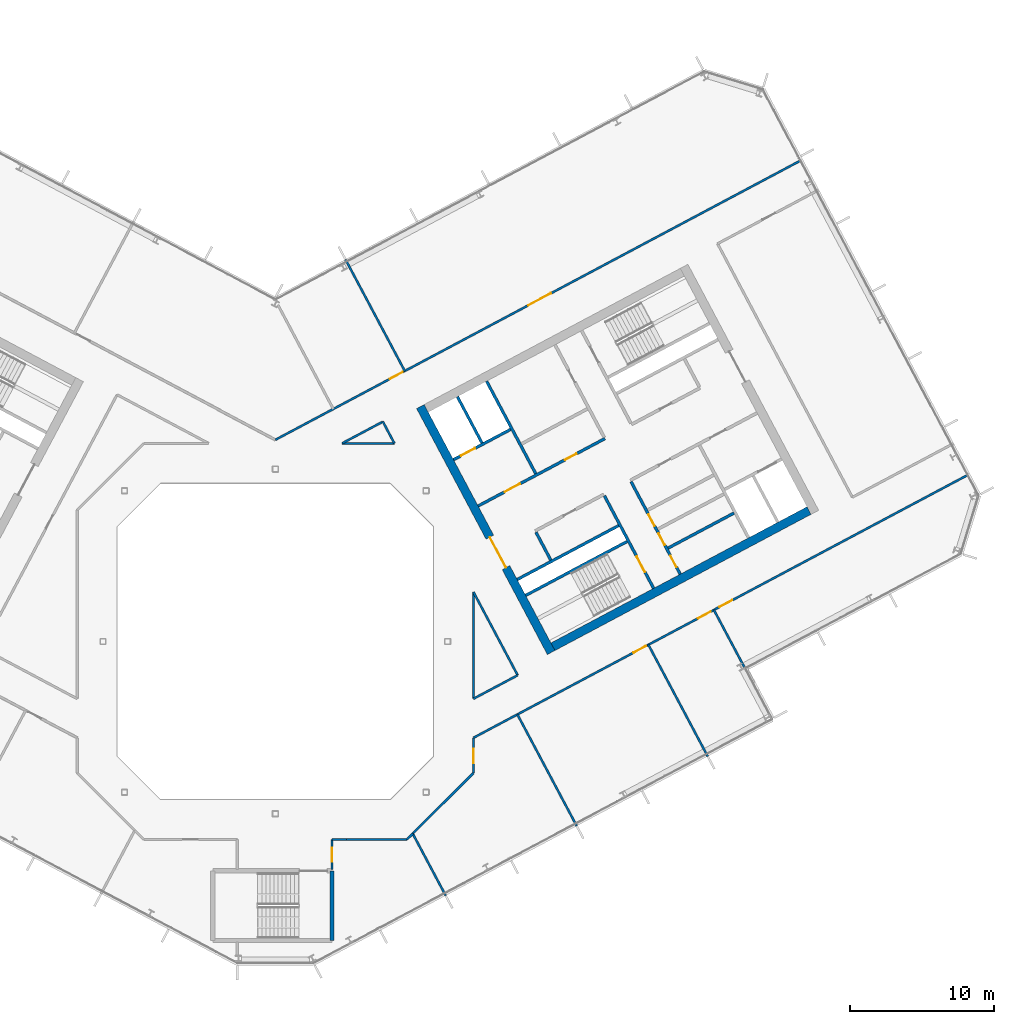
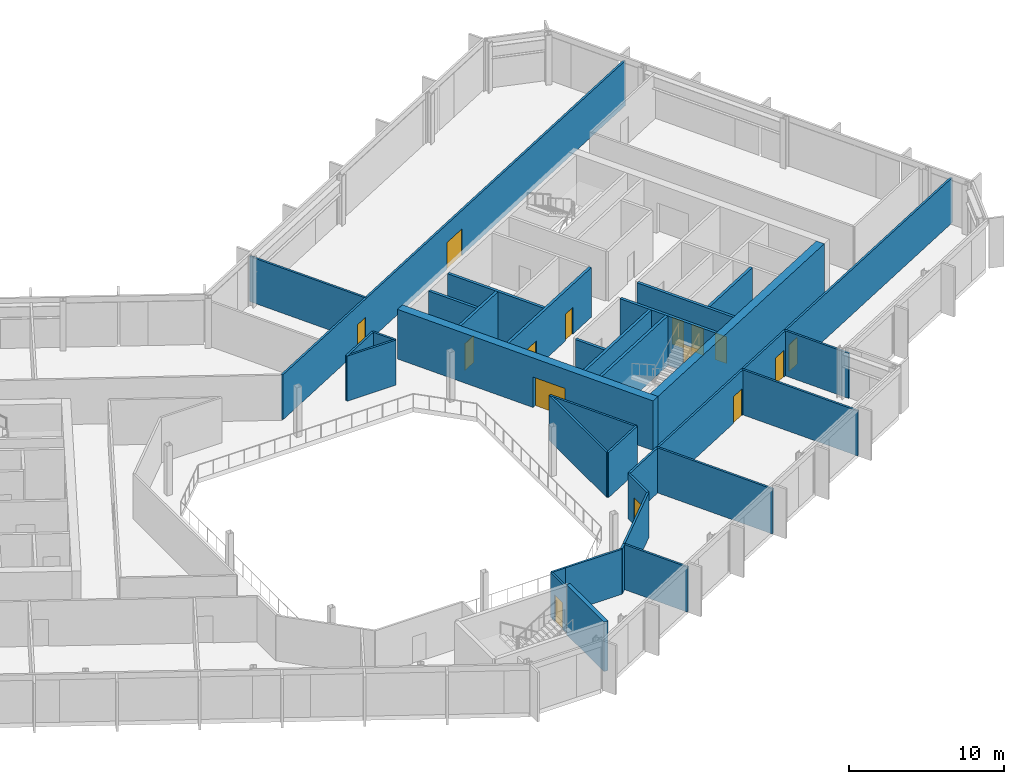
# One storey, part 16 of 27: 32 walls, 15 doors, 15 openings.
"""IFC4 building model written with IfcOpenShell, lengths in metres."""

from ifc_helpers import new_model, si_unit, direction, frame, frame_2d, origin, place, context, subcontext, project, spatial, rectangle, extrude, material, layer, layer_set, type_object, element, fill, save


model = new_model("IFC4")

# Units and contexts
model_context = context("Model", 3, precision=1e-05, world=origin(), true_north=direction((0.0, 1.0)))
body_context = subcontext(model_context, "Body", "Model", "MODEL_VIEW")
ifc_project = project(units=[si_unit("LENGTHUNIT", "METRE"), si_unit("AREAUNIT", "SQUARE_METRE"), si_unit("VOLUMEUNIT", "CUBIC_METRE"), si_unit("PLANEANGLEUNIT", "RADIAN"), si_unit("MASSUNIT", "GRAM", prefix="KILO")], contexts=[model_context])

# Site, building, storey
site_placement = place(None, origin())
site = spatial("IfcSite", under=ifc_project, at=site_placement, CompositionType="ELEMENT")
building_placement = place(site_placement, origin())
building = spatial("IfcBuilding", under=site, at=building_placement, Name="Cormorant Relay Tower", CompositionType="ELEMENT")
storey_placement = place(building_placement, frame((0.0, 0.0, 201.300048828125)))
storey = spatial("IfcBuildingStorey", under=building, at=storey_placement, Name="L43", CompositionType="ELEMENT", Elevation=201.300048828125)

# Walls
ifc_material_1 = material(Name="Concrete 40 MPa", Category="concrete")
ifc_layer_1 = layer(ifc_material_1, 0.199951171875)
ifc_layer_set_1 = layer_set([ifc_layer_1], Name="Core internal wall 200")
wall_type_1 = type_object("IfcWallType", Name="Core internal wall 200", PredefinedType="SOLIDWALL", material=ifc_layer_set_1)
wall_1_placement = place(storey_placement, frame((27.349365234375, 6.500732421875, 0.0), z_axis=(0.0, 0.0, 1.0), x_axis=(0.882953967957, 0.469459572775, 0.0)))
element("IfcWall", 1, at=wall_1_placement, inside=storey, type_object=wall_type_1, Name="L43 core B shaft and room wall", PredefinedType="SOLIDWALL", context=body_context, shape_type="SweptSolid", body=[
    extrude(rectangle(XDim=5.199951171875, YDim=0.199951171875, at=frame_2d((2.60009765625, 0.0))), origin(), (0.0, 0.0, 1.0), 3.89990234375),
])
ifc_material_2 = material(Name="Concrete 50 MPa", Category="concrete")
ifc_layer_2 = layer(ifc_material_2, 0.199951171875)
ifc_layer_set_2 = layer_set([ifc_layer_2], Name="Core shaft wall 200")
wall_type_2 = type_object("IfcWallType", Name="Core shaft wall 200", PredefinedType="SHEAR", material=ifc_layer_set_2)
wall_2_placement = place(storey_placement, frame((14.39404296875, 13.825927734375, 0.0), z_axis=(0.0, 0.0, 1.0), x_axis=(-0.469494272526, 0.882935517501, 0.0)))
element("IfcWall", 2, at=wall_2_placement, inside=storey, type_object=wall_type_2, Name="L43 core B shaft wall", PredefinedType="SHEAR", context=body_context, shape_type="SweptSolid", body=[
    extrude(rectangle(XDim=3.64990234375, YDim=0.199951171875, at=frame_2d((1.824951171875, 0.0))), origin(), (0.0, 0.0, 1.0), 3.89990234375),
])
wall_3_placement = place(storey_placement, frame((19.18359375, 5.669921875, 0.0), z_axis=(0.0, 0.0, 1.0), x_axis=(-0.4694473164, 0.882960484464, 0.0)))
element("IfcWall", 3, at=wall_3_placement, inside=storey, type_object=wall_type_2, Name="L43 core B shaft wall", PredefinedType="SHEAR", context=body_context, shape_type="SweptSolid", body=[
    extrude(rectangle(XDim=2.199951171875, YDim=0.199951171875, at=frame_2d((1.10009765625, 0.0))), origin(), (0.0, 0.0, 1.0), 3.89990234375),
])
wall_4_placement = place(storey_placement, frame((18.138427734375, 11.682861328125, 0.0), z_axis=(0.0, 0.0, 1.0), x_axis=(-0.469480409012, 0.88294288918, 0.0)))
element("IfcWall", 4, at=wall_4_placement, inside=storey, type_object=wall_type_2, Name="L43 core B shaft wall", PredefinedType="SHEAR", context=body_context, shape_type="SweptSolid", body=[
    extrude(rectangle(XDim=7.300048828125, YDim=0.199951171875, at=frame_2d((3.64990234375, 0.0))), origin(), (0.0, 0.0, 1.0), 3.89990234375),
])

# Wall, opening, door
wall_5_placement = place(storey_placement, frame((26.345947265625, 3.701904296875, 0.0), z_axis=(0.0, 0.0, 1.0), x_axis=(-0.469480409012, 0.88294288918, 0.0)))
wall_5 = element("IfcWall", 5, at=wall_5_placement, inside=storey, type_object=wall_type_2, Name="L43 core B shaft wall", PredefinedType="SHEAR", context=body_context, shape_type="SweptSolid", body=[
    extrude(rectangle(XDim=7.300048828125, YDim=0.199951171875, at=frame_2d((3.64990234375, 0.0))), origin(), (0.0, 0.0, 1.0), 3.89990234375),
])
opening_1_placement = place(wall_5_placement, frame((1.300048828125, 0.0, 0.0)))
opening_1 = element("IfcOpeningElement", 6, at=opening_1_placement, cuts=wall_5, Name="Opening CDB-040", PredefinedType="OPENING", context=body_context, shape_type="SweptSolid", body=[
    extrude(rectangle(XDim=1.199951171875, YDim=2.10009765625, at=frame_2d((0.60009765625, 1.050048828125))), frame((0.0, 0.10986328125, 0.0), z_axis=(0.0, -1.0, 0.0), x_axis=(1.0, 0.0, 0.0)), (0.0, 0.0, 1.0), 0.219970703125),
])
ifc_material_3 = material(Name="Steel fire door", Category="steel")
door_type_1 = type_object("IfcDoorType", Name="Core stair door 1200x2100", OperationType="SINGLE_SWING_LEFT", PredefinedType="DOOR", material=ifc_material_3)
door_1_placement = place(opening_1_placement, origin())
door_1 = element("IfcDoor", 7, at=door_1_placement, inside=storey, type_object=door_type_1, Name="Core stair door 1200x2100", OperationType="SINGLE_SWING_RIGHT", OverallHeight=2.10009765625, OverallWidth=1.199951171875, PredefinedType="DOOR", context=body_context, shape_type="SweptSolid", body=[
    extrude(rectangle(XDim=1.199951171875, YDim=2.10009765625, at=frame_2d((0.60009765625, 1.050048828125))), frame((0.0, 0.02490234375, 0.0), z_axis=(0.0, -1.0, 0.0), x_axis=(1.0, 0.0, 0.0)), (0.0, 0.0, 1.0), 0.050048828125),
])
fill(opening_1, door_1)

# Wall, openings, doors
wall_6_placement = place(storey_placement, frame((28.199951171875, 4.687744140625, 0.0), z_axis=(0.0, 0.0, 1.0), x_axis=(-0.469454336211, 0.882956752176, 0.0)))
wall_6 = element("IfcWall", 8, at=wall_6_placement, inside=storey, type_object=wall_type_2, Name="L43 core B shaft wall", PredefinedType="SHEAR", context=body_context, shape_type="SweptSolid", body=[
    extrude(rectangle(XDim=7.300048828125, YDim=0.199951171875, at=frame_2d((3.64990234375, 0.0))), origin(), (0.0, 0.0, 1.0), 3.89990234375),
])
opening_2_placement = place(wall_6_placement, frame((0.550048828125, 0.0, 0.0)))
opening_2 = element("IfcOpeningElement", 9, at=opening_2_placement, cuts=wall_6, Name="Opening CDD-265", PredefinedType="OPENING", context=body_context, shape_type="SweptSolid", body=[
    extrude(rectangle(XDim=0.89990234375, YDim=2.10009765625, at=frame_2d((0.449951171875, 1.050048828125))), frame((0.0, 0.10986328125, 0.0), z_axis=(0.0, -1.0, 0.0), x_axis=(1.0, 0.0, 0.0)), (0.0, 0.0, 1.0), 0.219970703125),
])
opening_3_placement = place(wall_6_placement, frame((2.300048828125, 0.0, 0.0)))
opening_3 = element("IfcOpeningElement", 10, at=opening_3_placement, cuts=wall_6, Name="Opening CDD-266", PredefinedType="OPENING", context=body_context, shape_type="SweptSolid", body=[
    extrude(rectangle(XDim=0.89990234375, YDim=2.10009765625, at=frame_2d((0.449951171875, 1.050048828125))), frame((0.0, 0.10986328125, 0.0), z_axis=(0.0, -1.0, 0.0), x_axis=(1.0, 0.0, 0.0)), (0.0, 0.0, 1.0), 0.219970703125),
])
opening_4_placement = place(wall_6_placement, frame((3.800048828125, 0.0, 0.0)))
opening_4 = element("IfcOpeningElement", 11, at=opening_4_placement, cuts=wall_6, Name="Opening CDD-267", PredefinedType="OPENING", context=body_context, shape_type="SweptSolid", body=[
    extrude(rectangle(XDim=0.89990234375, YDim=2.10009765625, at=frame_2d((0.449951171875, 1.050048828125))), frame((0.0, 0.10986328125, 0.0), z_axis=(0.0, -1.0, 0.0), x_axis=(1.0, 0.0, 0.0)), (0.0, 0.0, 1.0), 0.219970703125),
])
ifc_material_4 = material(Name="Steel fire door", Category="steel")
door_type_2 = type_object("IfcDoorType", Name="Core room door 900x2100", OperationType="SINGLE_SWING_LEFT", PredefinedType="DOOR", material=ifc_material_4)
door_2_placement = place(opening_2_placement, frame((0.89990234375, 0.0, 0.0), z_axis=(0.0, 0.0, 1.0), x_axis=(-1.0, 0.0, 0.0)))
door_2 = element("IfcDoor", 12, at=door_2_placement, inside=storey, type_object=door_type_2, Name="Core room door 900x2100", OperationType="SINGLE_SWING_LEFT", OverallHeight=2.10009765625, OverallWidth=0.89990234375, PredefinedType="DOOR", context=body_context, shape_type="SweptSolid", body=[
    extrude(rectangle(XDim=0.89990234375, YDim=2.10009765625, at=frame_2d((0.449951171875, 1.050048828125))), frame((0.0, 0.02490234375, 0.0), z_axis=(0.0, -1.0, 0.0), x_axis=(1.0, 0.0, 0.0)), (0.0, 0.0, 1.0), 0.050048828125),
])
fill(opening_2, door_2)
door_3_placement = place(opening_3_placement, frame((0.89990234375, 0.0, 0.0), z_axis=(0.0, 0.0, 1.0), x_axis=(-1.0, 0.0, 0.0)))
door_3 = element("IfcDoor", 13, at=door_3_placement, inside=storey, type_object=door_type_2, Name="Core room door 900x2100", OperationType="SINGLE_SWING_LEFT", OverallHeight=2.10009765625, OverallWidth=0.89990234375, PredefinedType="DOOR", context=body_context, shape_type="SweptSolid", body=[
    extrude(rectangle(XDim=0.89990234375, YDim=2.10009765625, at=frame_2d((0.449951171875, 1.050048828125))), frame((0.0, 0.02490234375, 0.0), z_axis=(0.0, -1.0, 0.0), x_axis=(1.0, 0.0, 0.0)), (0.0, 0.0, 1.0), 0.050048828125),
])
fill(opening_3, door_3)
door_4_placement = place(opening_4_placement, frame((0.89990234375, 0.0, 0.0), z_axis=(0.0, 0.0, 1.0), x_axis=(-1.0, 0.0, 0.0)))
door_4 = element("IfcDoor", 14, at=door_4_placement, inside=storey, type_object=door_type_2, Name="Core room door 900x2100", OperationType="SINGLE_SWING_LEFT", OverallHeight=2.10009765625, OverallWidth=0.89990234375, PredefinedType="DOOR", context=body_context, shape_type="SweptSolid", body=[
    extrude(rectangle(XDim=0.89990234375, YDim=2.10009765625, at=frame_2d((0.449951171875, 1.050048828125))), frame((0.0, 0.02490234375, 0.0), z_axis=(0.0, -1.0, 0.0), x_axis=(1.0, 0.0, 0.0)), (0.0, 0.0, 1.0), 0.050048828125),
])
fill(opening_4, door_4)

# Walls
for number, where, z_axis, x_axis, name in (
    (15, (17.43359375, 3.210205078125, 0.0), (0.0, 0.0, 1.0), (0.882940221191, 0.469485426614, 0.0), "L43 core B shaft wall"),
    (16, (16.8466796875, 4.31396484375, 0.0), (0.0, 0.0, 1.0), (0.882940221191, 0.469485426614, 0.0), "L43 core B shaft wall"),
):
    element("IfcWall", number, at=place(storey_placement, frame(where, z_axis=z_axis, x_axis=x_axis)), inside=storey, type_object=wall_type_2, Name=name, PredefinedType="SHEAR", context=body_context, shape_type="SweptSolid", body=[
        extrude(rectangle(XDim=8.0, YDim=0.199951171875, at=frame_2d((4.0, 0.0))), origin(), (0.0, 0.0, 1.0), 3.89990234375),
    ])

# Wall, openings, doors
wall_7_placement = place(storey_placement, frame((14.123779296875, 9.43505859375, 0.0), z_axis=(0.0, 0.0, 1.0), x_axis=(0.882940221191, 0.469485426614, 0.0)))
wall_7 = element("IfcWall", 17, at=wall_7_placement, inside=storey, type_object=wall_type_2, Name="L43 core B shaft wall", PredefinedType="SHEAR", context=body_context, shape_type="SweptSolid", body=[
    extrude(rectangle(XDim=10.0, YDim=0.199951171875, at=frame_2d((5.0, 0.0))), origin(), (0.0, 0.0, 1.0), 3.89990234375),
])
opening_5_placement = place(wall_7_placement, frame((2.10009765625, 0.0, 0.0)))
opening_5 = element("IfcOpeningElement", 18, at=opening_5_placement, cuts=wall_7, Name="Opening CDC-037", PredefinedType="OPENING", context=body_context, shape_type="SweptSolid", body=[
    extrude(rectangle(XDim=1.199951171875, YDim=2.10009765625, at=frame_2d((0.60009765625, 1.050048828125))), frame((0.0, 0.10986328125, 0.0), z_axis=(0.0, -1.0, 0.0), x_axis=(1.0, 0.0, 0.0)), (0.0, 0.0, 1.0), 0.219970703125),
])
opening_6_placement = place(wall_7_placement, frame((6.85009765625, 0.0, 0.0)))
opening_6 = element("IfcOpeningElement", 19, at=opening_6_placement, cuts=wall_7, Name="Opening CDD-260", PredefinedType="OPENING", context=body_context, shape_type="SweptSolid", body=[
    extrude(rectangle(XDim=0.89990234375, YDim=2.10009765625, at=frame_2d((0.449951171875, 1.050048828125))), frame((0.0, 0.10986328125, 0.0), z_axis=(0.0, -1.0, 0.0), x_axis=(1.0, 0.0, 0.0)), (0.0, 0.0, 1.0), 0.219970703125),
])
ifc_material_5 = material(Name="Steel fire door", Category="steel")
door_type_3 = type_object("IfcDoorType", Name="Core lobby door 1200x2100", OperationType="SINGLE_SWING_LEFT", PredefinedType="DOOR", material=ifc_material_5)
door_5_placement = place(opening_5_placement, origin())
door_5 = element("IfcDoor", 20, at=door_5_placement, inside=storey, type_object=door_type_3, Name="Core lobby door 1200x2100", OperationType="SINGLE_SWING_RIGHT", OverallHeight=2.10009765625, OverallWidth=1.199951171875, PredefinedType="DOOR", context=body_context, shape_type="SweptSolid", body=[
    extrude(rectangle(XDim=1.199951171875, YDim=2.10009765625, at=frame_2d((0.60009765625, 1.050048828125))), frame((0.0, 0.02490234375, 0.0), z_axis=(0.0, -1.0, 0.0), x_axis=(1.0, 0.0, 0.0)), (0.0, 0.0, 1.0), 0.050048828125),
])
fill(opening_5, door_5)
door_6_placement = place(opening_6_placement, origin())
door_6 = element("IfcDoor", 21, at=door_6_placement, inside=storey, type_object=door_type_2, Name="Core room door 900x2100", OperationType="SINGLE_SWING_LEFT", OverallHeight=2.10009765625, OverallWidth=0.89990234375, PredefinedType="DOOR", context=body_context, shape_type="SweptSolid", body=[
    extrude(rectangle(XDim=0.89990234375, YDim=2.10009765625, at=frame_2d((0.449951171875, 1.050048828125))), frame((0.0, 0.02490234375, 0.0), z_axis=(0.0, -1.0, 0.0), x_axis=(1.0, 0.0, 0.0)), (0.0, 0.0, 1.0), 0.050048828125),
])
fill(opening_6, door_6)

# Wall, opening, door
wall_8_placement = place(storey_placement, frame((12.41015625, 12.657958984375, 0.0), z_axis=(0.0, 0.0, 1.0), x_axis=(0.8829484765, 0.469469900894, 0.0)))
wall_8 = element("IfcWall", 22, at=wall_8_placement, inside=storey, type_object=wall_type_2, Name="L43 core B shaft wall", PredefinedType="SHEAR", context=body_context, shape_type="SweptSolid", body=[
    extrude(rectangle(XDim=4.499755859375, YDim=0.199951171875, at=frame_2d((2.25, 0.0))), origin(), (0.0, 0.0, 1.0), 3.89990234375),
])
opening_7_placement = place(wall_8_placement, frame((0.60009765625, 0.0, 0.0)))
opening_7 = element("IfcOpeningElement", 23, at=opening_7_placement, cuts=wall_8, Name="Opening LD1-064", PredefinedType="OPENING", context=body_context, shape_type="SweptSolid", body=[
    extrude(rectangle(XDim=1.10009765625, YDim=2.10009765625, at=frame_2d((0.550048828125, 1.050048828125))), frame((0.0, 0.10986328125, 0.0), z_axis=(0.0, -1.0, 0.0), x_axis=(1.0, 0.0, 0.0)), (0.0, 0.0, 1.0), 0.219970703125),
])
ifc_material_6 = material(Name="Stainless steel 316", Category="steel")
door_type_4 = type_object("IfcDoorType", Name="Lift landing door 1100x2100", OperationType="DOUBLE_DOOR_SLIDING", PredefinedType="DOOR", material=ifc_material_6)
door_7_placement = place(opening_7_placement, origin())
door_7 = element("IfcDoor", 24, at=door_7_placement, inside=storey, type_object=door_type_4, Name="FF2 landing door", OperationType="DOUBLE_DOOR_SLIDING", OverallHeight=2.10009765625, OverallWidth=1.10009765625, PredefinedType="DOOR", context=body_context, shape_type="SweptSolid", body=[
    extrude(rectangle(XDim=1.10009765625, YDim=2.10009765625, at=frame_2d((0.550048828125, 1.050048828125))), frame((0.0, 0.02490234375, 0.0), z_axis=(0.0, -1.0, 0.0), x_axis=(1.0, 0.0, 0.0)), (0.0, 0.0, 1.0), 0.050048828125),
])
fill(opening_7, door_7)

ifc_material_7 = material(Name="Concrete 50 MPa", Category="concrete")
ifc_layer_3 = layer(ifc_material_7, 0.60009765625)
ifc_layer_set_3 = layer_set([ifc_layer_3], Name="Core wall 600")
wall_type_3 = type_object("IfcWallType", Name="Core wall 600", PredefinedType="SHEAR", material=ifc_layer_set_3)
wall_9_placement = place(storey_placement, frame((19.210693359375, -0.771484375, 0.0), z_axis=(0.0, 0.0, 1.0), x_axis=(-0.469463742137, 0.882951751127, 0.0)))
wall_9 = element("IfcWall", 25, at=wall_9_placement, inside=storey, type_object=wall_type_3, Name="L43 core B wall", PredefinedType="SHEAR", context=body_context, shape_type="SweptSolid", body=[
    extrude(rectangle(XDim=19.400146484375, YDim=0.60009765625, at=frame_2d((9.7001953125, 0.0))), origin(), (0.0, 0.0, 1.0), 3.89990234375),
])
opening_8_placement = place(wall_9_placement, frame((6.699951171875, 0.0, 0.0)))
opening_8 = element("IfcOpeningElement", 26, at=opening_8_placement, cuts=wall_9, Name="Opening CDA-044", PredefinedType="OPENING", context=body_context, shape_type="SweptSolid", body=[
    extrude(rectangle(XDim=2.39990234375, YDim=2.39990234375, at=frame_2d((1.199951171875, 1.199951171875))), frame((0.0, 0.31005859375, 0.0), z_axis=(0.0, -1.0, 0.0), x_axis=(1.0, 0.0, 0.0)), (0.0, 0.0, 1.0), 0.6201171875),
])
ifc_material_8 = material(Name="Steel fire door", Category="steel")
door_type_5 = type_object("IfcDoorType", Name="Core lobby door 2400x2400", OperationType="DOUBLE_DOOR_SINGLE_SWING", PredefinedType="DOOR", material=ifc_material_8)
door_8_placement = place(opening_8_placement, origin())
door_8 = element("IfcDoor", 27, at=door_8_placement, inside=storey, type_object=door_type_5, Name="Core lobby door 2400x2400", OperationType="DOUBLE_DOOR_SINGLE_SWING", OverallHeight=2.39990234375, OverallWidth=2.39990234375, PredefinedType="DOOR", context=body_context, shape_type="SweptSolid", body=[
    extrude(rectangle(XDim=2.39990234375, YDim=2.39990234375, at=frame_2d((1.199951171875, 1.199951171875))), frame((0.0, 0.02490234375, 0.0), z_axis=(0.0, -1.0, 0.0), x_axis=(1.0, 0.0, 0.0)), (0.0, 0.0, 1.0), 0.050048828125),
])
fill(opening_8, door_8)

# Wall
wall_10_placement = place(storey_placement, frame((19.3349609375, -0.36572265625, 0.0), z_axis=(0.0, 0.0, 1.0), x_axis=(0.88294509198, 0.469476266226, 0.0)))
element("IfcWall", 28, at=wall_10_placement, inside=storey, type_object=wall_type_3, Name="L43 core B wall", PredefinedType="SHEAR", context=body_context, shape_type="SweptSolid", body=[
    extrude(rectangle(XDim=20.199951171875, YDim=0.60009765625, at=frame_2d((10.10009765625, 0.0))), origin(), (0.0, 0.0, 1.0), 3.89990234375),
])

# Wall, openings, doors
ifc_material_9 = material(Name="Gypsum board fire partition")
ifc_layer_4 = layer(ifc_material_9, 0.14990234375)
ifc_layer_set_4 = layer_set([ifc_layer_4], Name="Corridor partition 150 EI 60")
wall_type_4 = type_object("IfcWallType", Name="Corridor partition 150 EI 60", PredefinedType="PARTITIONING", material=ifc_layer_set_4)
wall_11_placement = place(storey_placement, frame((0.0, 14.0439453125, 0.0), z_axis=(0.0, 0.0, 1.0), x_axis=(0.882962129795, 0.469444221764, 0.0)))
wall_11 = element("IfcWall", 29, at=wall_11_placement, inside=storey, type_object=wall_type_4, Name="wall/L43/part/012", PredefinedType="PARTITIONING", context=body_context, shape_type="SweptSolid", body=[
    extrude(rectangle(XDim=41.606689453125, YDim=0.14990234375, at=frame_2d((20.80322265625, 0.0))), origin(), (0.0, 0.0, 1.0), 3.5400390625),
])
opening_9_placement = place(wall_11_placement, frame((19.949951171875, 0.0, 0.0)))
opening_9 = element("IfcOpeningElement", 30, at=opening_9_placement, cuts=wall_11, Name="Opening DD-023", PredefinedType="OPENING", context=body_context, shape_type="SweptSolid", body=[
    extrude(rectangle(XDim=1.800048828125, YDim=2.10009765625, at=frame_2d((0.89990234375, 1.050048828125))), frame((0.0, 0.0849609375, 0.0), z_axis=(0.0, -1.0, 0.0), x_axis=(1.0, 0.0, 0.0)), (0.0, 0.0, 1.0), 0.169921875),
])
opening_10_placement = place(wall_11_placement, frame((9.050048828125, 0.0, 0.0)))
opening_10 = element("IfcOpeningElement", 31, at=opening_10_placement, cuts=wall_11, Name="Opening DS-133", PredefinedType="OPENING", context=body_context, shape_type="SweptSolid", body=[
    extrude(rectangle(XDim=1.0, YDim=2.10009765625, at=frame_2d((0.5, 1.050048828125))), frame((0.0, 0.0849609375, 0.0), z_axis=(0.0, -1.0, 0.0), x_axis=(1.0, 0.0, 0.0)), (0.0, 0.0, 1.0), 0.169921875),
])
ifc_material_10 = material(Name="Timber door leaf", Category="wood")
door_type_6 = type_object("IfcDoorType", Name="Suite door 1000x2100", OperationType="SINGLE_SWING_LEFT", PredefinedType="DOOR", material=ifc_material_10)
door_9_placement = place(opening_10_placement, origin())
door_9 = element("IfcDoor", 32, at=door_9_placement, inside=storey, type_object=door_type_6, Name="door/L43/016", OperationType="SINGLE_SWING_RIGHT", OverallHeight=2.10009765625, OverallWidth=1.0, PredefinedType="DOOR", context=body_context, shape_type="SweptSolid", body=[
    extrude(rectangle(XDim=1.0, YDim=2.10009765625, at=frame_2d((0.5, 1.050048828125))), frame((0.0, 0.02490234375, 0.0), z_axis=(0.0, -1.0, 0.0), x_axis=(1.0, 0.0, 0.0)), (0.0, 0.0, 1.0), 0.050048828125),
])
fill(opening_10, door_9)
ifc_material_11 = material(Name="Timber door leaf", Category="wood")
door_type_7 = type_object("IfcDoorType", Name="Suite double door 1800x2100", OperationType="DOUBLE_DOOR_SINGLE_SWING", PredefinedType="DOOR", material=ifc_material_11)
door_10_placement = place(opening_9_placement, origin())
door_10 = element("IfcDoor", 33, at=door_10_placement, inside=storey, type_object=door_type_7, Name="door/L43/015", OperationType="DOUBLE_DOOR_SINGLE_SWING", OverallHeight=2.10009765625, OverallWidth=1.800048828125, PredefinedType="DOOR", context=body_context, shape_type="SweptSolid", body=[
    extrude(rectangle(XDim=1.800048828125, YDim=2.10009765625, at=frame_2d((0.89990234375, 1.050048828125))), frame((0.0, 0.02490234375, 0.0), z_axis=(0.0, -1.0, 0.0), x_axis=(1.0, 0.0, 0.0)), (0.0, 0.0, 1.0), 0.050048828125),
])
fill(opening_9, door_10)

# Wall
wall_12_placement = place(storey_placement, frame((4.9541015625, -13.800048828125, 0.0), z_axis=(0.0, 0.0, 1.0), x_axis=(-1.0, 0.0, 0.0)))
element("IfcWall", 34, at=wall_12_placement, inside=storey, type_object=wall_type_4, Name="wall/L43/part/030", PredefinedType="PARTITIONING", context=body_context, shape_type="SweptSolid", body=[
    extrude(rectangle(XDim=1.004150390625, YDim=0.14990234375, at=frame_2d((0.501953125, 0.0))), origin(), (0.0, 0.0, 1.0), 3.5400390625),
])

# Wall, opening, door
wall_13_placement = place(storey_placement, frame((3.949951171875, -13.800048828125, 0.0), z_axis=(0.0, 0.0, 1.0), x_axis=(0.0, -1.0, 0.0)))
wall_13 = element("IfcWall", 35, at=wall_13_placement, inside=storey, type_object=wall_type_4, Name="wall/L43/part/031", PredefinedType="PARTITIONING", context=body_context, shape_type="SweptSolid", body=[
    extrude(rectangle(XDim=2.074951171875, YDim=0.14990234375, at=frame_2d((1.03759765625, 0.0))), origin(), (0.0, 0.0, 1.0), 3.5400390625),
])
opening_11_placement = place(wall_13_placement, frame((0.550048828125, 0.0, 0.0)))
opening_11 = element("IfcOpeningElement", 36, at=opening_11_placement, cuts=wall_13, Name="Opening DS-107", PredefinedType="OPENING", context=body_context, shape_type="SweptSolid", body=[
    extrude(rectangle(XDim=1.0, YDim=2.10009765625, at=frame_2d((0.5, 1.050048828125))), frame((0.0, 0.0849609375, 0.0), z_axis=(0.0, -1.0, 0.0), x_axis=(1.0, 0.0, 0.0)), (0.0, 0.0, 1.0), 0.169921875),
])
door_11_placement = place(opening_11_placement, origin())
door_11 = element("IfcDoor", 37, at=door_11_placement, inside=storey, type_object=door_type_6, Name="door/L43/001", OperationType="SINGLE_SWING_LEFT", OverallHeight=2.10009765625, OverallWidth=1.0, PredefinedType="DOOR", context=body_context, shape_type="SweptSolid", body=[
    extrude(rectangle(XDim=1.0, YDim=2.10009765625, at=frame_2d((0.5, 1.050048828125))), frame((0.0, 0.02490234375, 0.0), z_axis=(0.0, -1.0, 0.0), x_axis=(1.0, 0.0, 0.0)), (0.0, 0.0, 1.0), 0.050048828125),
])
fill(opening_11, door_11)

# Walls
wall_14_placement = place(storey_placement, frame((9.159912109375, -13.800048828125, 0.0), z_axis=(0.0, 0.0, 1.0), x_axis=(-1.0, 0.0, 0.0)))
element("IfcWall", 38, at=wall_14_placement, inside=storey, type_object=wall_type_4, Name="wall/L43/part/032", PredefinedType="PARTITIONING", context=body_context, shape_type="SweptSolid", body=[
    extrude(rectangle(XDim=4.205810546875, YDim=0.14990234375, at=frame_2d((2.10302734375, 0.0))), origin(), (0.0, 0.0, 1.0), 3.5400390625),
])
wall_15_placement = place(storey_placement, frame((9.158935546875, -13.800048828125, 0.0), z_axis=(0.0, 0.0, 1.0), x_axis=(0.707945081169, 0.70626748619, 0.0)))
element("IfcWall", 39, at=wall_15_placement, inside=storey, type_object=wall_type_4, Name="wall/L43/part/033", PredefinedType="PARTITIONING", context=body_context, shape_type="SweptSolid", body=[
    extrude(rectangle(XDim=0.58203125, YDim=0.14990234375, at=frame_2d((0.291015625, 0.0))), origin(), (0.0, 0.0, 1.0), 3.5400390625),
])

# Wall, opening, door
wall_16_placement = place(storey_placement, frame((13.800048828125, -6.722900390625, 0.0), z_axis=(0.0, 0.0, 1.0), x_axis=(0.0, -1.0, 0.0)))
wall_16 = element("IfcWall", 40, at=wall_16_placement, inside=storey, type_object=wall_type_4, Name="wall/L43/part/035", PredefinedType="PARTITIONING", context=body_context, shape_type="SweptSolid", body=[
    extrude(rectangle(XDim=2.43701171875, YDim=0.14990234375, at=frame_2d((1.218505859375, 0.0))), origin(), (0.0, 0.0, 1.0), 3.5400390625),
])
opening_12_placement = place(wall_16_placement, frame((0.75, 0.0, 0.0)))
opening_12 = element("IfcOpeningElement", 41, at=opening_12_placement, cuts=wall_16, Name="Opening DS-123", PredefinedType="OPENING", context=body_context, shape_type="SweptSolid", body=[
    extrude(rectangle(XDim=1.0, YDim=2.10009765625, at=frame_2d((0.5, 1.050048828125))), frame((0.0, 0.0849609375, 0.0), z_axis=(0.0, -1.0, 0.0), x_axis=(1.0, 0.0, 0.0)), (0.0, 0.0, 1.0), 0.169921875),
])
door_12_placement = place(opening_12_placement, origin())
door_12 = element("IfcDoor", 42, at=door_12_placement, inside=storey, type_object=door_type_6, Name="door/L43/002", OperationType="SINGLE_SWING_LEFT", OverallHeight=2.10009765625, OverallWidth=1.0, PredefinedType="DOOR", context=body_context, shape_type="SweptSolid", body=[
    extrude(rectangle(XDim=1.0, YDim=2.10009765625, at=frame_2d((0.5, 1.050048828125))), frame((0.0, 0.02490234375, 0.0), z_axis=(0.0, -1.0, 0.0), x_axis=(1.0, 0.0, 0.0)), (0.0, 0.0, 1.0), 0.050048828125),
])
fill(opening_12, door_12)

# Wall
wall_17_placement = place(storey_placement, frame((13.800048828125, -9.159912109375, 0.0), z_axis=(0.0, 0.0, 1.0), x_axis=(-0.707187736796, -0.707025816307, 0.0)))
element("IfcWall", 43, at=wall_17_placement, inside=storey, type_object=wall_type_4, Name="wall/L43/part/036", PredefinedType="PARTITIONING", context=body_context, shape_type="SweptSolid", body=[
    extrude(rectangle(XDim=6.031005859375, YDim=0.14990234375, at=frame_2d((3.015625, 0.0))), origin(), (0.0, 0.0, 1.0), 3.5400390625),
])

# Wall, openings, doors
wall_18_placement = place(storey_placement, frame((48.3798828125, 11.678955078125, 0.0), z_axis=(0.0, 0.0, 1.0), x_axis=(-0.882962559816, -0.469443412951, 0.0)))
wall_18 = element("IfcWall", 44, at=wall_18_placement, inside=storey, type_object=wall_type_4, Name="wall/L43/part/038", PredefinedType="PARTITIONING", context=body_context, shape_type="SweptSolid", body=[
    extrude(rectangle(XDim=39.163330078125, YDim=0.14990234375, at=frame_2d((19.58154296875, 0.0))), origin(), (0.0, 0.0, 1.0), 3.5400390625),
])
opening_13_placement = place(wall_18_placement, frame((25.550048828125, 0.0, 0.0)))
opening_13 = element("IfcOpeningElement", 45, at=opening_13_placement, cuts=wall_18, Name="Opening DS-124", PredefinedType="OPENING", context=body_context, shape_type="SweptSolid", body=[
    extrude(rectangle(XDim=1.0, YDim=2.10009765625, at=frame_2d((0.5, 1.050048828125))), frame((0.0, 0.0849609375, 0.0), z_axis=(0.0, -1.0, 0.0), x_axis=(1.0, 0.0, 0.0)), (0.0, 0.0, 1.0), 0.169921875),
])
opening_14_placement = place(wall_18_placement, frame((20.449951171875, 0.0, 0.0)))
opening_14 = element("IfcOpeningElement", 46, at=opening_14_placement, cuts=wall_18, Name="Opening DS-109", PredefinedType="OPENING", context=body_context, shape_type="SweptSolid", body=[
    extrude(rectangle(XDim=1.0, YDim=2.10009765625, at=frame_2d((0.5, 1.050048828125))), frame((0.0, 0.0849609375, 0.0), z_axis=(0.0, -1.0, 0.0), x_axis=(1.0, 0.0, 0.0)), (0.0, 0.0, 1.0), 0.169921875),
])
opening_15_placement = place(wall_18_placement, frame((18.75, 0.0, 0.0)))
opening_15 = element("IfcOpeningElement", 47, at=opening_15_placement, cuts=wall_18, Name="Opening DS-110", PredefinedType="OPENING", context=body_context, shape_type="SweptSolid", body=[
    extrude(rectangle(XDim=1.0, YDim=2.10009765625, at=frame_2d((0.5, 1.050048828125))), frame((0.0, 0.0849609375, 0.0), z_axis=(0.0, -1.0, 0.0), x_axis=(1.0, 0.0, 0.0)), (0.0, 0.0, 1.0), 0.169921875),
])
door_13_placement = place(opening_13_placement, origin())
door_13 = element("IfcDoor", 48, at=door_13_placement, inside=storey, type_object=door_type_6, Name="door/L43/003", OperationType="SINGLE_SWING_LEFT", OverallHeight=2.10009765625, OverallWidth=1.0, PredefinedType="DOOR", context=body_context, shape_type="SweptSolid", body=[
    extrude(rectangle(XDim=1.0, YDim=2.10009765625, at=frame_2d((0.5, 1.050048828125))), frame((0.0, 0.02490234375, 0.0), z_axis=(0.0, -1.0, 0.0), x_axis=(1.0, 0.0, 0.0)), (0.0, 0.0, 1.0), 0.050048828125),
])
fill(opening_13, door_13)
door_14_placement = place(opening_14_placement, origin())
door_14 = element("IfcDoor", 49, at=door_14_placement, inside=storey, type_object=door_type_6, Name="door/L43/004", OperationType="SINGLE_SWING_LEFT", OverallHeight=2.10009765625, OverallWidth=1.0, PredefinedType="DOOR", context=body_context, shape_type="SweptSolid", body=[
    extrude(rectangle(XDim=1.0, YDim=2.10009765625, at=frame_2d((0.5, 1.050048828125))), frame((0.0, 0.02490234375, 0.0), z_axis=(0.0, -1.0, 0.0), x_axis=(1.0, 0.0, 0.0)), (0.0, 0.0, 1.0), 0.050048828125),
])
fill(opening_14, door_14)
door_15_placement = place(opening_15_placement, origin())
door_15 = element("IfcDoor", 50, at=door_15_placement, inside=storey, type_object=door_type_6, Name="door/L43/005", OperationType="SINGLE_SWING_RIGHT", OverallHeight=2.10009765625, OverallWidth=1.0, PredefinedType="DOOR", context=body_context, shape_type="SweptSolid", body=[
    extrude(rectangle(XDim=1.0, YDim=2.10009765625, at=frame_2d((0.5, 1.050048828125))), frame((0.0, 0.02490234375, 0.0), z_axis=(0.0, -1.0, 0.0), x_axis=(1.0, 0.0, 0.0)), (0.0, 0.0, 1.0), 0.050048828125),
])
fill(opening_15, door_15)

# Walls
wall_19_placement = place(storey_placement, frame((4.653076171875, 13.800048828125, 0.0), z_axis=(0.0, 0.0, 1.0), x_axis=(1.0, 0.0, 0.0)))
element("IfcWall", 51, at=wall_19_placement, inside=storey, type_object=wall_type_4, Name="wall/L43/part/050", PredefinedType="PARTITIONING", context=body_context, shape_type="SweptSolid", body=[
    extrude(rectangle(XDim=3.638916015625, YDim=0.14990234375, at=frame_2d((1.8193359375, 0.0))), origin(), (0.0, 0.0, 1.0), 3.5400390625),
])
wall_20_placement = place(storey_placement, frame((8.2919921875, 13.800048828125, 0.0), z_axis=(0.0, 0.0, 1.0), x_axis=(-0.469541856947, 0.882910213201, 0.0)))
element("IfcWall", 52, at=wall_20_placement, inside=storey, type_object=wall_type_4, Name="wall/L43/part/051", PredefinedType="PARTITIONING", context=body_context, shape_type="SweptSolid", body=[
    extrude(rectangle(XDim=1.7080078125, YDim=0.14990234375, at=frame_2d((0.85400390625, 0.0))), origin(), (0.0, 0.0, 1.0), 3.5400390625),
])
wall_21_placement = place(storey_placement, frame((7.489990234375, 15.30810546875, 0.0), z_axis=(0.0, 0.0, 1.0), x_axis=(-0.882993690295, -0.469384855848, 0.0)))
element("IfcWall", 53, at=wall_21_placement, inside=storey, type_object=wall_type_4, Name="wall/L43/part/052", PredefinedType="PARTITIONING", context=body_context, shape_type="SweptSolid", body=[
    extrude(rectangle(XDim=3.212890625, YDim=0.14990234375, at=frame_2d((1.6064453125, 0.0))), origin(), (0.0, 0.0, 1.0), 3.5400390625),
])
wall_22_placement = place(storey_placement, frame((16.87890625, -2.35107421875, 0.0), z_axis=(0.0, 0.0, 1.0), x_axis=(-0.469376544617, 0.882998108358, 0.0)))
element("IfcWall", 54, at=wall_22_placement, inside=storey, type_object=wall_type_4, Name="wall/L43/part/053", PredefinedType="PARTITIONING", context=body_context, shape_type="SweptSolid", body=[
    extrude(rectangle(XDim=6.5595703125, YDim=0.14990234375, at=frame_2d((3.27978515625, 0.0))), origin(), (0.0, 0.0, 1.0), 3.5400390625),
])
wall_23_placement = place(storey_placement, frame((13.800048828125, 3.44091796875, 0.0), z_axis=(0.0, 0.0, 1.0), x_axis=(0.0, -1.0, 0.0)))
element("IfcWall", 55, at=wall_23_placement, inside=storey, type_object=wall_type_4, Name="wall/L43/part/054", PredefinedType="PARTITIONING", context=body_context, shape_type="SweptSolid", body=[
    extrude(rectangle(XDim=7.428955078125, YDim=0.14990234375, at=frame_2d((3.71435546875, 0.0))), origin(), (0.0, 0.0, 1.0), 3.5400390625),
])
wall_24_placement = place(storey_placement, frame((13.800048828125, -3.988037109375, 0.0), z_axis=(0.0, 0.0, 1.0), x_axis=(0.882958842974, 0.469450403786, 0.0)))
element("IfcWall", 56, at=wall_24_placement, inside=storey, type_object=wall_type_4, Name="wall/L43/part/055", PredefinedType="PARTITIONING", context=body_context, shape_type="SweptSolid", body=[
    extrude(rectangle(XDim=3.487060546875, YDim=0.14990234375, at=frame_2d((1.74365234375, 0.0))), origin(), (0.0, 0.0, 1.0), 3.5400390625),
])
ifc_material_12 = material(Name="Concrete 50 MPa", Category="concrete")
ifc_layer_5 = layer(ifc_material_12, 0.300048828125)
ifc_layer_set_5 = layer_set([ifc_layer_5], Name="Remote stair wall 300")
wall_type_5 = type_object("IfcWallType", Name="Remote stair wall 300", PredefinedType="SHEAR", material=ifc_layer_set_5)
wall_25_placement = place(storey_placement, frame((3.949951171875, -15.97509765625, 0.0), z_axis=(0.0, 0.0, 1.0), x_axis=(0.0, -1.0, 0.0)))
element("IfcWall", 57, at=wall_25_placement, inside=storey, type_object=wall_type_5, Name="L43 exit stair RK1 wall", PredefinedType="SHEAR", context=body_context, shape_type="SweptSolid", body=[
    extrude(rectangle(XDim=4.849853515625, YDim=0.300048828125, at=frame_2d((2.4248046875, 0.0))), origin(), (0.0, 0.0, 1.0), 3.89990234375),
])
ifc_material_13 = material(Name="Gypsum board partition")
ifc_layer_6 = layer(ifc_material_13, 0.14990234375)
ifc_layer_set_6 = layer_set([ifc_layer_6], Name="Tenant partition 150")
wall_type_6 = type_object("IfcWallType", Name="Tenant partition 150", PredefinedType="PARTITIONING", material=ifc_layer_set_6)
wall_26_placement = place(storey_placement, frame((4.885009765625, 26.60791015625, 0.0), z_axis=(0.0, 0.0, 1.0), x_axis=(0.469445946219, -0.882961212952, 0.0)))
element("IfcWall", 58, at=wall_26_placement, inside=storey, type_object=wall_type_6, Name="wall/L43/part/029", PredefinedType="PARTITIONING", context=body_context, shape_type="SweptSolid", body=[
    extrude(rectangle(XDim=8.800048828125, YDim=0.14990234375, at=frame_2d((4.39990234375, 0.0))), origin(), (0.0, 0.0, 1.0), 3.5400390625),
])
wall_27_placement = place(storey_placement, frame((9.572998046875, -13.386962890625, 0.0), z_axis=(0.0, 0.0, 1.0), x_axis=(0.469342774431, -0.883016058795, 0.0)))
element("IfcWall", 59, at=wall_27_placement, inside=storey, type_object=wall_type_6, Name="wall/L43/part/034", PredefinedType="PARTITIONING", context=body_context, shape_type="SweptSolid", body=[
    extrude(rectangle(XDim=4.885498046875, YDim=0.14990234375, at=frame_2d((2.44287109375, 0.0))), origin(), (0.0, 0.0, 1.0), 3.5400390625),
])
for number, where, z_axis, x_axis, name in (
    (60, (16.85888671875, -5.080078125, 0.0), (0.0, 0.0, 1.0), (0.469445946219, -0.882961212952, 0.0), "wall/L43/part/037"),
    (61, (25.98193359375, -0.22900390625, 0.0), (0.0, 0.0, 1.0), (0.469445946219, -0.882961212952, 0.0), "wall/L43/part/039"),
):
    element("IfcWall", number, at=place(storey_placement, frame(where, z_axis=z_axis, x_axis=x_axis)), inside=storey, type_object=wall_type_6, Name=name, PredefinedType="PARTITIONING", context=body_context, shape_type="SweptSolid", body=[
        extrude(rectangle(XDim=8.800048828125, YDim=0.14990234375, at=frame_2d((4.39990234375, 0.0))), origin(), (0.0, 0.0, 1.0), 3.5400390625),
    ])
wall_28_placement = place(storey_placement, frame((30.5439453125, 2.197021484375, 0.0), z_axis=(0.0, 0.0, 1.0), x_axis=(0.469518415739, -0.882922679107, 0.0)))
element("IfcWall", 62, at=wall_28_placement, inside=storey, type_object=wall_type_6, Name="wall/L43/part/040", PredefinedType="PARTITIONING", context=body_context, shape_type="SweptSolid", body=[
    extrude(rectangle(XDim=4.881591796875, YDim=0.14990234375, at=frame_2d((2.44091796875, 0.0))), origin(), (0.0, 0.0, 1.0), 3.5400390625),
])

save(model, "model.ifc")
